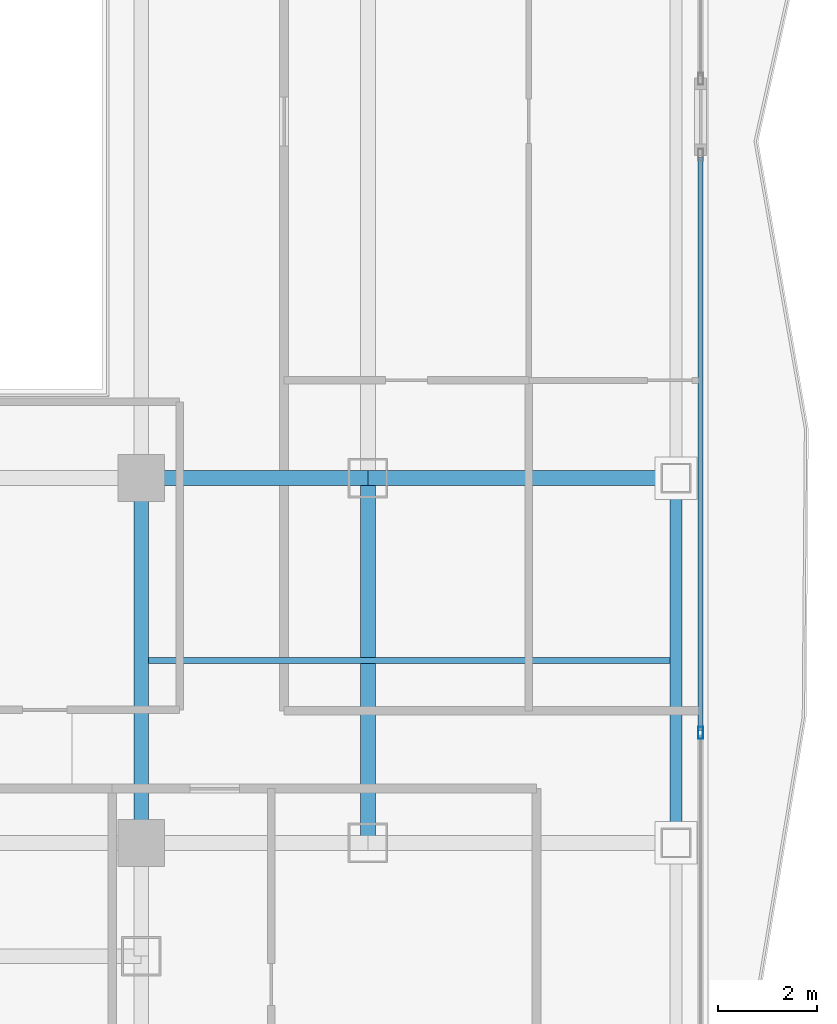
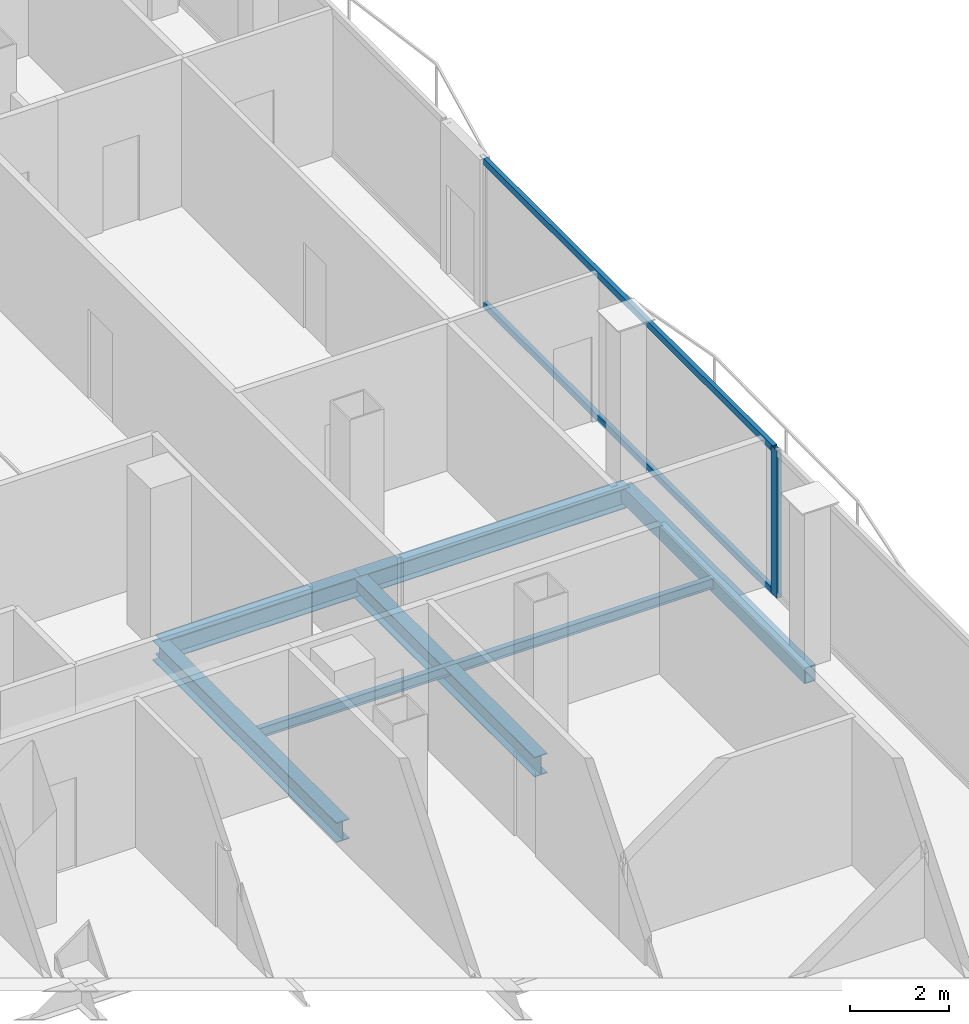
# One storey, part 11 of 26: 6 beams, 3 members, 1 element without a shape of its own.
"""IFC4 building model written with IfcOpenShell, lengths in metres."""

from ifc_helpers import new_model, si_unit, direction, frame, origin, origin_2d, place, context, subcontext, project, spatial, hollow_rectangle, i_section, extrude, material, layer, layer_set, material_profile, profile_set, type_object, element, aggregate, save


model = new_model("IFC4")

# Units and contexts
model_context = context("Model", 3, precision=1e-05, world=origin(), true_north=direction((0.0, 1.0)))
body_context = subcontext(model_context, "Body", "Model", "MODEL_VIEW")
ifc_project = project(units=[si_unit("LENGTHUNIT", "METRE"), si_unit("AREAUNIT", "SQUARE_METRE"), si_unit("VOLUMEUNIT", "CUBIC_METRE"), si_unit("PLANEANGLEUNIT", "RADIAN"), si_unit("MASSUNIT", "GRAM", prefix="KILO")], contexts=[model_context])

# Site, building, storey
site_placement = place(None, origin())
site = spatial("IfcSite", under=ifc_project, at=site_placement, CompositionType="ELEMENT")
building_placement = place(site_placement, origin())
building = spatial("IfcBuilding", under=site, at=building_placement, Name="Khorvyn Point Tower", CompositionType="ELEMENT")
storey_placement = place(building_placement, frame((0.0, 0.0, 250.800048828125)))
storey = spatial("IfcBuildingStorey", under=building, at=storey_placement, Name="L61", CompositionType="ELEMENT", Elevation=250.800048828125)

# Curtain wall, members
ifc_material_1 = material(Name="Anodised aluminium 6063-T6 and laminated Low-E glass", Category="aluminium")
ifc_layer = layer(ifc_material_1, 0.18994140625)
ifc_layer_set = layer_set([ifc_layer], Name="Stick-Built Acoustic Curtain Wall CW-SYS-03")
curtain_wall_type = type_object("IfcCurtainWallType", Name="Stick-Built Acoustic Curtain Wall CW-SYS-03", PredefinedType="NOTDEFINED", material=ifc_layer_set)
curtain_wall_placement = place(storey_placement, origin())
curtain_wall = element("IfcCurtainWall", 1, at=curtain_wall_placement, inside=storey, type_object=curtain_wall_type, Name="Curtain Wall", PredefinedType="NOTDEFINED")
ifc_material_2 = material(Name="Anodised aluminium 6063-T6", Category="aluminium")
ifc_material_profile_1 = material_profile(ifc_material_2, hollow_rectangle(XDim=0.10009765625, YDim=0.239990234375, WallThickness=0.0048828125, at=origin_2d()))
ifc_profile_set_1 = profile_set([ifc_material_profile_1], Name="Anodised aluminium 6063-T6 ALU-MUL-100x240")
member_type_1 = type_object("IfcMemberType", Name="Anodised Aluminium 6063-T6 Mullion ALU-MUL-100x240", PredefinedType="MULLION", material=ifc_profile_set_1)
member_1_placement = place(storey_placement, frame((26.14990234375, -12.568603515625, 0.0), z_axis=(0.0, 0.0, 1.0), x_axis=(1.0, 0.0, 0.0)))
member_1 = element("IfcMember", 2, at=member_1_placement, type_object=member_type_1, Name="Transom", PredefinedType="MULLION", context=body_context, shape_type="SweptSolid", body=[
    extrude(hollow_rectangle(XDim=0.10009765625, YDim=0.239990234375, WallThickness=0.0048828125, at=origin_2d()), origin(), (0.0, 0.0, 1.0), 3.619873046875),
])
ifc_material_profile_2 = material_profile(ifc_material_2, hollow_rectangle(XDim=0.10009765625, YDim=0.159912109375, WallThickness=0.00439453125, at=origin_2d()))
ifc_profile_set_2 = profile_set([ifc_material_profile_2], Name="Anodised aluminium 6063-T6 ALU-TRN-100x160")
member_type_2 = type_object("IfcMemberType", Name="Anodised Aluminium 6063-T6 Transom ALU-TRN-100x160", PredefinedType="USERDEFINED", material=ifc_profile_set_2)
member_2_placement = place(storey_placement, frame((26.14990234375, -0.886962890625, 0.050048828125), z_axis=(0.0, -1.0, 0.0), x_axis=(1.0, 0.0, 0.0)))
member_2 = element("IfcMember", 3, at=member_2_placement, type_object=member_type_2, Name="Transom", ObjectType="TRANSOM", PredefinedType="USERDEFINED", context=body_context, shape_type="SweptSolid", body=[
    extrude(hollow_rectangle(XDim=0.10009765625, YDim=0.159912109375, WallThickness=0.00439453125, at=origin_2d()), origin(), (0.0, 0.0, 1.0), 11.631591796875),
])
member_3_placement = place(storey_placement, frame((26.14990234375, -0.886962890625, 3.570068359375), z_axis=(0.0, -1.0, 0.0), x_axis=(1.0, 0.0, 0.0)))
member_3 = element("IfcMember", 4, at=member_3_placement, type_object=member_type_2, Name="Transom", ObjectType="TRANSOM", PredefinedType="USERDEFINED", context=body_context, shape_type="SweptSolid", body=[
    extrude(hollow_rectangle(XDim=0.10009765625, YDim=0.159912109375, WallThickness=0.00439453125, at=origin_2d()), origin(), (0.0, 0.0, 1.0), 11.631591796875),
])
aggregate(curtain_wall, [member_1, member_2, member_3])

# Beams
ifc_material_3 = material(Name="Steel S355", Category="steel")
ifc_material_profile_3 = material_profile(ifc_material_3, i_section(OverallWidth=0.125, OverallDepth=0.25, WebThickness=0.006103515625, FlangeThickness=0.009033203125, at=origin_2d()))
ifc_profile_set_3 = profile_set([ifc_material_profile_3], Name="Steel S355 H250x125x6x9")
beam_type_1 = type_object("IfcBeamType", Name="Steel S355 Joist H250x125x6x9", PredefinedType="JOIST", material=ifc_profile_set_3)
beam_1_placement = place(storey_placement, frame((14.949951171875, -11.10009765625, -0.344970703125), z_axis=(1.0, 0.0, 0.0), x_axis=(0.0, 1.0, 0.0)))
element("IfcBeam", 5, at=beam_1_placement, inside=storey, type_object=beam_type_1, Name="Beam", PredefinedType="JOIST", context=body_context, shape_type="SweptSolid", body=[
    extrude(i_section(OverallWidth=0.125, OverallDepth=0.25, WebThickness=0.006103515625, FlangeThickness=0.009033203125, at=origin_2d()), origin(), (0.0, 0.0, 1.0), 10.574951171875),
])
ifc_material_profile_4 = material_profile(ifc_material_3, i_section(OverallWidth=0.300048828125, OverallDepth=0.488037109375, WebThickness=0.010986328125, FlangeThickness=0.01806640625, at=origin_2d()))
ifc_profile_set_4 = profile_set([ifc_material_profile_4], Name="Steel S355 H488x300x11x18")
beam_type_2 = type_object("IfcBeamType", Name="Steel S355 Spandrel H488x300x11x18", PredefinedType="SPANDREL", material=ifc_profile_set_4)
beam_2_placement = place(storey_placement, frame((14.800048828125, -7.39990234375, -0.464111328125), z_axis=(1.0, 0.0, 0.0), x_axis=(0.0, 1.0, 0.0)))
element("IfcBeam", 6, at=beam_2_placement, inside=storey, type_object=beam_type_2, Name="Beam", PredefinedType="SPANDREL", context=body_context, shape_type="SweptSolid", body=[
    extrude(i_section(OverallWidth=0.300048828125, OverallDepth=0.488037109375, WebThickness=0.010986328125, FlangeThickness=0.01806640625, at=origin_2d()), origin(), (0.0, 0.0, 1.0), 4.599853515625),
])
beam_3_placement = place(storey_placement, frame((19.39990234375, -7.39990234375, -0.464111328125), z_axis=(1.0, 0.0, 0.0), x_axis=(0.0, 1.0, 0.0)))
element("IfcBeam", 7, at=beam_3_placement, inside=storey, type_object=beam_type_2, Name="Beam", PredefinedType="SPANDREL", context=body_context, shape_type="SweptSolid", body=[
    extrude(i_section(OverallWidth=0.300048828125, OverallDepth=0.488037109375, WebThickness=0.010986328125, FlangeThickness=0.01806640625, at=origin_2d()), origin(), (0.0, 0.0, 1.0), 6.25),
])
for number, where, z_axis, x_axis, name in (
    (8, (14.800048828125, -14.800048828125, -0.464111328125), (0.0, 1.0, 0.0), (-1.0, 0.0, 0.0), "Beam"),
    (9, (19.39990234375, -14.800048828125, -0.464111328125), (0.0, 1.0, 0.0), (-1.0, 0.0, 0.0), "Beam"),
):
    element("IfcBeam", number, at=place(storey_placement, frame(where, z_axis=z_axis, x_axis=x_axis)), inside=storey, type_object=beam_type_2, Name=name, PredefinedType="SPANDREL", context=body_context, shape_type="SweptSolid", body=[
        extrude(i_section(OverallWidth=0.300048828125, OverallDepth=0.488037109375, WebThickness=0.010986328125, FlangeThickness=0.01806640625, at=origin_2d()), origin(), (0.0, 0.0, 1.0), 7.400146484375),
    ])
ifc_material_profile_5 = material_profile(ifc_material_3, hollow_rectangle(XDim=0.25, YDim=0.39990234375, WallThickness=0.01611328125, at=origin_2d()))
ifc_profile_set_5 = profile_set([ifc_material_profile_5], Name="Steel S355 RHS400x250x16")
beam_type_3 = type_object("IfcBeamType", Name="Steel S355 Spandrel RHS400x250x16", PredefinedType="SPANDREL", material=ifc_profile_set_5)
beam_4_placement = place(storey_placement, frame((25.64990234375, -14.800048828125, -0.420166015625), z_axis=(0.0, 1.0, 0.0), x_axis=(-1.0, 0.0, 0.0)))
element("IfcBeam", 10, at=beam_4_placement, inside=storey, type_object=beam_type_3, Name="Beam", PredefinedType="SPANDREL", context=body_context, shape_type="SweptSolid", body=[
    extrude(hollow_rectangle(XDim=0.25, YDim=0.39990234375, WallThickness=0.01611328125, at=origin_2d()), origin(), (0.0, 0.0, 1.0), 7.400146484375),
])

save(model, "model.ifc")
